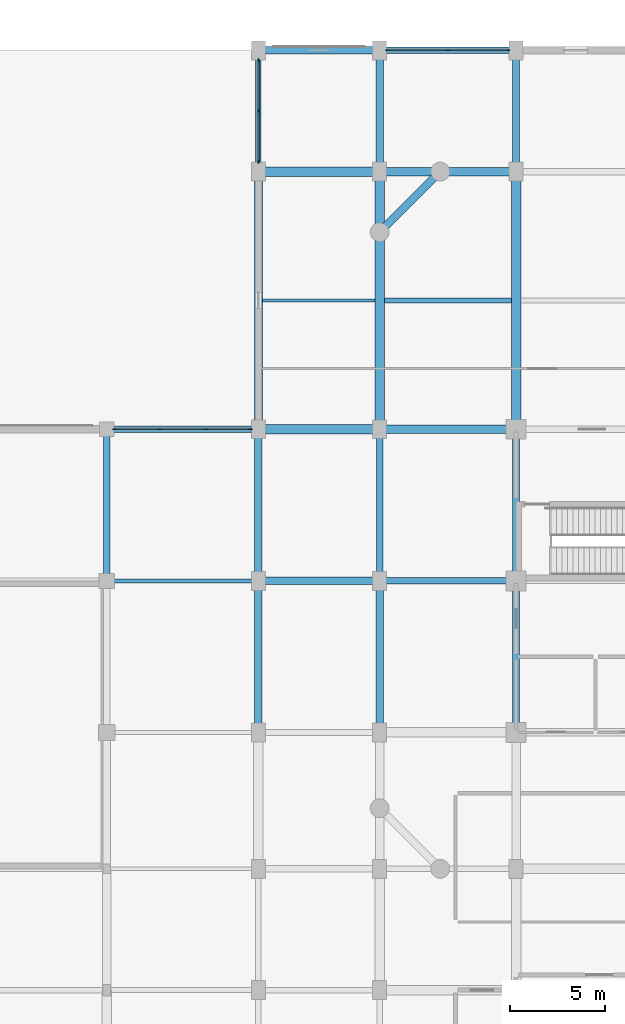
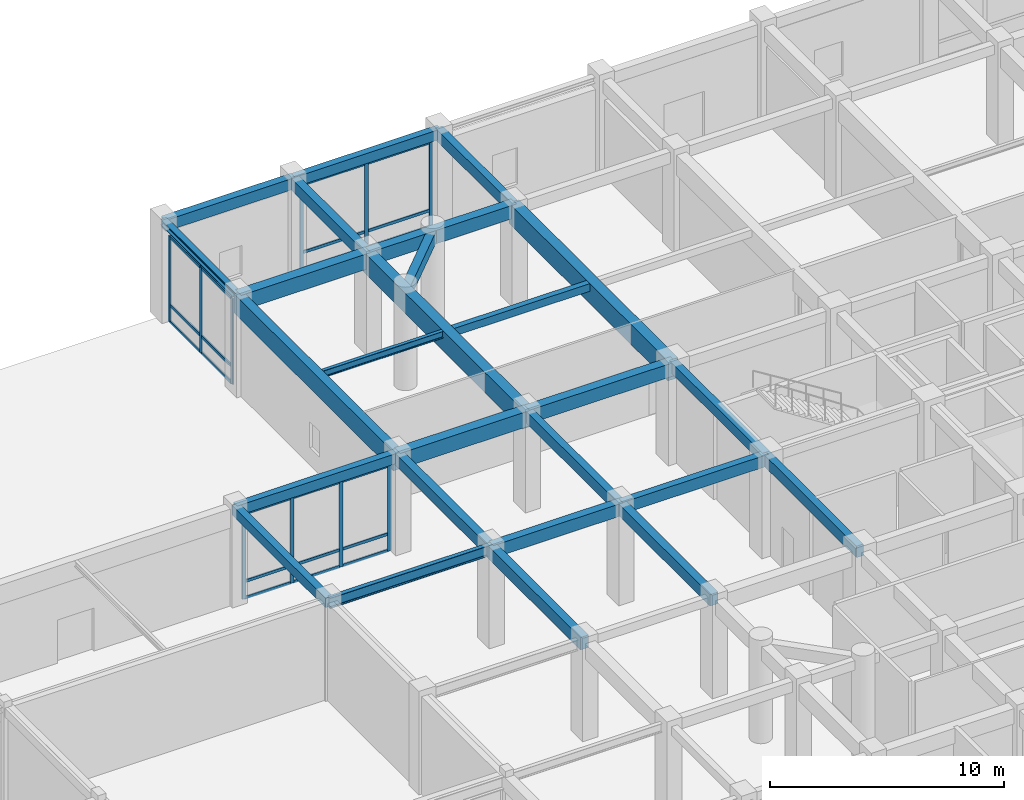
# One storey, part 15 of 40: 31 members, 26 beams, 3 elements without a shape of their own.
"""IFC4 building model written with IfcOpenShell, lengths in metres."""

from ifc_helpers import new_model, si_unit, direction, frame, origin, origin_2d, place, context, subcontext, project, spatial, rectangle, i_section, extrude, material, material_profile, profile_set, type_object, element, aggregate, save


model = new_model("IFC4")

# Units and contexts
model_context = context("Model", 3, precision=1e-05, world=origin(), true_north=direction((0.0, 1.0)))
body_context = subcontext(model_context, "Body", "Model", "MODEL_VIEW")
ifc_project = project(units=[si_unit("LENGTHUNIT", "METRE"), si_unit("AREAUNIT", "SQUARE_METRE"), si_unit("VOLUMEUNIT", "CUBIC_METRE"), si_unit("PLANEANGLEUNIT", "RADIAN"), si_unit("MASSUNIT", "GRAM", prefix="KILO")], contexts=[model_context])

# Site, building, storey
site_placement = place(None, origin())
site = spatial("IfcSite", under=ifc_project, at=site_placement, CompositionType="ELEMENT")
building_placement = place(site_placement, origin())
building = spatial("IfcBuilding", under=site, at=building_placement, Name="Vellmiral Cinema and Media Centre", CompositionType="ELEMENT")
storey_placement = place(building_placement, origin())
storey = spatial("IfcBuildingStorey", under=building, at=storey_placement, Name="L00", CompositionType="ELEMENT", Elevation=0.0)

# Beams
ifc_material_1 = material(Name="Concrete C40/50", Category="concrete")
ifc_material_profile_1 = material_profile(ifc_material_1, rectangle(XDim=0.35009765625, YDim=0.5, at=origin_2d()), Name="RC 350x500")
ifc_profile_set_1 = profile_set([ifc_material_profile_1], Name="Concrete C40/50")
beam_type_1 = type_object("IfcBeamType", Name="BM-RC-350x500", PredefinedType="BEAM", material=ifc_profile_set_1)
beam_1_placement = place(storey_placement, frame((102.39990234375, 87.199951171875, 4.824951171875), z_axis=(0.0, 1.0, 0.0), x_axis=(-1.0, 0.0, 0.0)))
element("IfcBeam", 1, at=beam_1_placement, inside=storey, type_object=beam_type_1, Name="Grid Beam L00-Y289", PredefinedType="BEAM", context=body_context, shape_type="SweptSolid", body=[
    extrude(rectangle(XDim=0.35009765625, YDim=0.5, at=origin_2d()), origin(), (0.0, 0.0, 1.0), 8.0),
])
ifc_material_2 = material(Name="Concrete C40/50", Category="concrete")
ifc_material_profile_2 = material_profile(ifc_material_2, rectangle(XDim=0.35009765625, YDim=0.550048828125, at=origin_2d()), Name="RC 350x550")
ifc_profile_set_2 = profile_set([ifc_material_profile_2], Name="Concrete C40/50")
beam_type_2 = type_object("IfcBeamType", Name="BM-RC-350x550", PredefinedType="BEAM", material=ifc_profile_set_2)
beam_2_placement = place(storey_placement, frame((124.0, 87.199951171875, 4.800048828125), z_axis=(0.0, 1.0, 0.0), x_axis=(-1.0, 0.0, 0.0)))
element("IfcBeam", 2, at=beam_2_placement, inside=storey, type_object=beam_type_2, Name="Grid Beam L00-Y321", PredefinedType="BEAM", context=body_context, shape_type="SweptSolid", body=[
    extrude(rectangle(XDim=0.35009765625, YDim=0.550048828125, at=origin_2d()), origin(), (0.0, 0.0, 1.0), 8.0),
])
ifc_material_3 = material(Name="Concrete C40/50", Category="concrete")
ifc_material_profile_3 = material_profile(ifc_material_3, rectangle(XDim=0.35009765625, YDim=0.60009765625, at=origin_2d()), Name="RC 350x600")
ifc_profile_set_3 = profile_set([ifc_material_profile_3], Name="Concrete C40/50")
beam_type_3 = type_object("IfcBeamType", Name="BM-RC-350x600", PredefinedType="BEAM", material=ifc_profile_set_3)
beam_3_placement = place(storey_placement, frame((116.800048828125, 87.199951171875, 4.77490234375), z_axis=(1.0, 0.0, 0.0), x_axis=(0.0, 1.0, 0.0)))
element("IfcBeam", 3, at=beam_3_placement, inside=storey, type_object=beam_type_3, Name="Grid Beam L00-X146", PredefinedType="BEAM", context=body_context, shape_type="SweptSolid", body=[
    extrude(rectangle(XDim=0.35009765625, YDim=0.60009765625, at=origin_2d()), origin(), (0.0, 0.0, 1.0), 7.199951171875),
])
for number, where, z_axis, x_axis, name in (
    (4, (116.800048828125, 87.199951171875, 4.77490234375), (0.0, 1.0, 0.0), (-1.0, 0.0, 0.0), "Grid Beam L00-Y309"),
    (5, (124.0, 79.199951171875, 4.77490234375), (0.0, 1.0, 0.0), (-1.0, 0.0, 0.0), "Grid Beam L00-Y320"),
):
    element("IfcBeam", number, at=place(storey_placement, frame(where, z_axis=z_axis, x_axis=x_axis)), inside=storey, type_object=beam_type_3, Name=name, PredefinedType="BEAM", context=body_context, shape_type="SweptSolid", body=[
        extrude(rectangle(XDim=0.35009765625, YDim=0.60009765625, at=origin_2d()), origin(), (0.0, 0.0, 1.0), 8.0),
    ])
beam_4_placement = place(storey_placement, frame((124.0, 108.800048828125, 4.77490234375), z_axis=(0.0, 1.0, 0.0), x_axis=(-1.0, 0.0, 0.0)))
element("IfcBeam", 6, at=beam_4_placement, inside=storey, type_object=beam_type_3, Name="Grid Beam L00-Y323", PredefinedType="BEAM", context=body_context, shape_type="SweptSolid", body=[
    extrude(rectangle(XDim=0.35009765625, YDim=0.60009765625, at=origin_2d()), origin(), (0.0, 0.0, 1.0), 6.39990234375),
])
ifc_material_4 = material(Name="Concrete C40/50", Category="concrete")
ifc_material_profile_4 = material_profile(ifc_material_4, rectangle(XDim=0.39990234375, YDim=0.60009765625, at=origin_2d()), Name="RC 400x600")
ifc_profile_set_4 = profile_set([ifc_material_profile_4], Name="Concrete C40/50")
beam_type_4 = type_object("IfcBeamType", Name="BM-RC-400x600", PredefinedType="BEAM", material=ifc_profile_set_4)
for number, where, z_axis, x_axis, name in (
    (7, (110.39990234375, 87.199951171875, 4.77490234375), (0.0, 1.0, 0.0), (-1.0, 0.0, 0.0), "Grid Beam L00-Y297"),
    (8, (116.800048828125, 79.199951171875, 4.77490234375), (0.0, 1.0, 0.0), (-1.0, 0.0, 0.0), "Grid Beam L00-Y308"),
):
    element("IfcBeam", number, at=place(storey_placement, frame(where, z_axis=z_axis, x_axis=x_axis)), inside=storey, type_object=beam_type_4, Name=name, PredefinedType="BEAM", context=body_context, shape_type="SweptSolid", body=[
        extrude(rectangle(XDim=0.39990234375, YDim=0.60009765625, at=origin_2d()), origin(), (0.0, 0.0, 1.0), 8.0),
    ])
beam_5_placement = place(storey_placement, frame((116.800048828125, 108.800048828125, 4.77490234375), z_axis=(0.0, 1.0, 0.0), x_axis=(-1.0, 0.0, 0.0)))
element("IfcBeam", 9, at=beam_5_placement, inside=storey, type_object=beam_type_4, Name="Grid Beam L00-Y311", PredefinedType="BEAM", context=body_context, shape_type="SweptSolid", body=[
    extrude(rectangle(XDim=0.39990234375, YDim=0.60009765625, at=origin_2d()), origin(), (0.0, 0.0, 1.0), 6.39990234375),
])
ifc_material_5 = material(Name="Concrete C40/50", Category="concrete")
ifc_material_profile_5 = material_profile(ifc_material_5, rectangle(XDim=0.39990234375, YDim=0.64990234375, at=origin_2d()), Name="RC 400x650")
ifc_profile_set_5 = profile_set([ifc_material_profile_5], Name="Concrete C40/50")
beam_type_5 = type_object("IfcBeamType", Name="BM-RC-400x650", PredefinedType="BEAM", material=ifc_profile_set_5)
beam_6_placement = place(storey_placement, frame((110.39990234375, 87.199951171875, 4.75), z_axis=(1.0, 0.0, 0.0), x_axis=(0.0, 1.0, 0.0)))
element("IfcBeam", 10, at=beam_6_placement, inside=storey, type_object=beam_type_5, Name="Grid Beam L00-X145", PredefinedType="BEAM", context=body_context, shape_type="SweptSolid", body=[
    extrude(rectangle(XDim=0.39990234375, YDim=0.64990234375, at=origin_2d()), origin(), (0.0, 0.0, 1.0), 6.400146484375),
])
beam_7_placement = place(storey_placement, frame((110.39990234375, 79.199951171875, 4.75), z_axis=(0.0, 1.0, 0.0), x_axis=(-1.0, 0.0, 0.0)))
element("IfcBeam", 11, at=beam_7_placement, inside=storey, type_object=beam_type_5, Name="Grid Beam L00-Y296", PredefinedType="BEAM", context=body_context, shape_type="SweptSolid", body=[
    extrude(rectangle(XDim=0.39990234375, YDim=0.64990234375, at=origin_2d()), origin(), (0.0, 0.0, 1.0), 8.0),
])
ifc_material_6 = material(Name="Concrete C40/50", Category="concrete")
ifc_material_profile_6 = material_profile(ifc_material_6, rectangle(XDim=0.449951171875, YDim=0.699951171875, at=origin_2d()), Name="RC 450x700")
ifc_profile_set_6 = profile_set([ifc_material_profile_6], Name="Concrete C40/50")
beam_type_6 = type_object("IfcBeamType", Name="BM-RC-450x700", PredefinedType="BEAM", material=ifc_profile_set_6)
for number, where, z_axis, x_axis, name in (
    (12, (116.800048828125, 95.199951171875, 4.72509765625), (1.0, 0.0, 0.0), (0.0, 1.0, 0.0), "Grid Beam L00-X165"),
    (13, (116.800048828125, 108.800048828125, 4.72509765625), (1.0, 0.0, 0.0), (0.0, 1.0, 0.0), "Grid Beam L00-X176"),
):
    element("IfcBeam", number, at=place(storey_placement, frame(where, z_axis=z_axis, x_axis=x_axis)), inside=storey, type_object=beam_type_6, Name=name, PredefinedType="BEAM", context=body_context, shape_type="SweptSolid", body=[
        extrude(rectangle(XDim=0.449951171875, YDim=0.699951171875, at=origin_2d()), origin(), (0.0, 0.0, 1.0), 7.199951171875),
    ])
ifc_material_7 = material(Name="Concrete C40/50", Category="concrete")
ifc_material_profile_7 = material_profile(ifc_material_7, rectangle(XDim=0.5, YDim=0.800048828125, at=origin_2d()), Name="RC 500x800")
ifc_profile_set_7 = profile_set([ifc_material_profile_7], Name="Concrete C40/50")
beam_type_7 = type_object("IfcBeamType", Name="BM-RC-500x800", PredefinedType="BEAM", material=ifc_profile_set_7)
for number, where, z_axis, x_axis, name in (
    (14, (110.39990234375, 95.199951171875, 4.675048828125), (1.0, 0.0, 0.0), (0.0, 1.0, 0.0), "Grid Beam L00-X164"),
    (15, (110.39990234375, 108.800048828125, 4.675048828125), (1.0, 0.0, 0.0), (0.0, 1.0, 0.0), "Grid Beam L00-X175"),
):
    element("IfcBeam", number, at=place(storey_placement, frame(where, z_axis=z_axis, x_axis=x_axis)), inside=storey, type_object=beam_type_7, Name=name, PredefinedType="BEAM", context=body_context, shape_type="SweptSolid", body=[
        extrude(rectangle(XDim=0.5, YDim=0.800048828125, at=origin_2d()), origin(), (0.0, 0.0, 1.0), 6.400146484375),
    ])
ifc_material_8 = material(Name="Concrete C40/50", Category="concrete")
ifc_material_profile_8 = material_profile(ifc_material_8, rectangle(XDim=0.5, YDim=1.050048828125, at=origin_2d()), Name="RC 500x1050")
ifc_profile_set_8 = profile_set([ifc_material_profile_8], Name="Concrete C40/50")
beam_type_8 = type_object("IfcBeamType", Name="BM-RCG-500x1050", PredefinedType="BEAM", material=ifc_profile_set_8)
for number, where, z_axis, x_axis, name in (
    (16, (116.800048828125, 95.199951171875, 4.550048828125), (0.0, 1.0, 0.0), (-1.0, 0.0, 0.0), "Grid Beam L00-Y310"),
    (17, (124.0, 95.199951171875, 4.550048828125), (0.0, 1.0, 0.0), (-1.0, 0.0, 0.0), "Grid Beam L00-Y322"),
):
    element("IfcBeam", number, at=place(storey_placement, frame(where, z_axis=z_axis, x_axis=x_axis)), inside=storey, type_object=beam_type_8, Name=name, PredefinedType="BEAM", context=body_context, shape_type="SweptSolid", body=[
        extrude(rectangle(XDim=0.5, YDim=1.050048828125, at=origin_2d()), origin(), (0.0, 0.0, 1.0), 13.60009765625),
    ])

# Curtain wall, members
ifc_material_9 = material(Name="Thermally Broken Aluminium and Triple Glazing", Category="aluminium")
curtain_wall_type = type_object("IfcCurtainWallType", Name="CW-LIB-BAY", PredefinedType="USERDEFINED", material=ifc_material_9)
curtain_wall_1_placement = place(storey_placement, origin())
curtain_wall_1 = element("IfcCurtainWall", 18, at=curtain_wall_1_placement, inside=storey, type_object=curtain_wall_type, Name="Curtain Wall L00-B051", ObjectType="STICK CURTAIN WALL", PredefinedType="USERDEFINED")
ifc_material_10 = material(Name="Thermally Broken Anodised Aluminium", Category="aluminium")
ifc_material_profile_9 = material_profile(ifc_material_10, rectangle(XDim=0.070068359375, YDim=0.179931640625, at=origin_2d()), Name="MULL 70x180")
ifc_profile_set_9 = profile_set([ifc_material_profile_9], Name="Thermally Broken Anodised Aluminium")
member_type_1 = type_object("IfcMemberType", Name="CWM-70x180", PredefinedType="MULLION", material=ifc_profile_set_9)
member_1_placement = place(storey_placement, frame((123.590087890625, 115.199951171875, 0.0), z_axis=(0.0, 0.0, 1.0), x_axis=(0.0, -1.0, 0.0)))
member_1 = element("IfcMember", 19, at=member_1_placement, type_object=member_type_1, Name="CW-03 mullion 1", PredefinedType="MULLION", context=body_context, shape_type="SweptSolid", body=[
    extrude(rectangle(XDim=0.070068359375, YDim=0.179931640625, at=origin_2d()), origin(), (0.0, 0.0, 1.0), 4.47998046875),
])
member_2_placement = place(storey_placement, frame((120.39990234375, 115.199951171875, 0.0), z_axis=(0.0, 0.0, 1.0), x_axis=(0.0, -1.0, 0.0)))
member_2 = element("IfcMember", 20, at=member_2_placement, type_object=member_type_1, Name="CW-03 mullion 2", PredefinedType="MULLION", context=body_context, shape_type="SweptSolid", body=[
    extrude(rectangle(XDim=0.070068359375, YDim=0.179931640625, at=origin_2d()), origin(), (0.0, 0.0, 1.0), 4.47998046875),
])
member_3_placement = place(storey_placement, frame((117.2099609375, 115.199951171875, 0.0), z_axis=(0.0, 0.0, 1.0), x_axis=(0.0, -1.0, 0.0)))
member_3 = element("IfcMember", 21, at=member_3_placement, type_object=member_type_1, Name="CW-03 mullion 3", PredefinedType="MULLION", context=body_context, shape_type="SweptSolid", body=[
    extrude(rectangle(XDim=0.070068359375, YDim=0.179931640625, at=origin_2d()), origin(), (0.0, 0.0, 1.0), 4.47998046875),
])

curtain_wall_2_placement = place(storey_placement, origin())
curtain_wall_2 = element("IfcCurtainWall", 22, at=curtain_wall_2_placement, inside=storey, type_object=curtain_wall_type, Name="Curtain Wall L00-B053", ObjectType="STICK CURTAIN WALL", PredefinedType="USERDEFINED")
member_4_placement = place(storey_placement, frame((110.39990234375, 114.6650390625, 0.0), z_axis=(0.0, 0.0, 1.0), x_axis=(1.0, 0.0, 0.0)))
member_4 = element("IfcMember", 23, at=member_4_placement, type_object=member_type_1, Name="CW-03 mullion 1", PredefinedType="MULLION", context=body_context, shape_type="SweptSolid", body=[
    extrude(rectangle(XDim=0.070068359375, YDim=0.179931640625, at=origin_2d()), origin(), (0.0, 0.0, 1.0), 4.47998046875),
])
member_5_placement = place(storey_placement, frame((110.39990234375, 112.0, 0.0), z_axis=(0.0, 0.0, 1.0), x_axis=(1.0, 0.0, 0.0)))
member_5 = element("IfcMember", 24, at=member_5_placement, type_object=member_type_1, Name="CW-03 mullion 2", PredefinedType="MULLION", context=body_context, shape_type="SweptSolid", body=[
    extrude(rectangle(XDim=0.070068359375, YDim=0.179931640625, at=origin_2d()), origin(), (0.0, 0.0, 1.0), 4.47998046875),
])
member_6_placement = place(storey_placement, frame((110.39990234375, 109.3349609375, 0.0), z_axis=(0.0, 0.0, 1.0), x_axis=(1.0, 0.0, 0.0)))
member_6 = element("IfcMember", 25, at=member_6_placement, type_object=member_type_1, Name="CW-03 mullion 3", PredefinedType="MULLION", context=body_context, shape_type="SweptSolid", body=[
    extrude(rectangle(XDim=0.070068359375, YDim=0.179931640625, at=origin_2d()), origin(), (0.0, 0.0, 1.0), 4.47998046875),
])

curtain_wall_3_placement = place(storey_placement, origin())
curtain_wall_3 = element("IfcCurtainWall", 26, at=curtain_wall_3_placement, inside=storey, type_object=curtain_wall_type, Name="Curtain Wall L00-B055", ObjectType="STICK CURTAIN WALL", PredefinedType="USERDEFINED")
member_7_placement = place(storey_placement, frame((109.989990234375, 95.199951171875, 0.0), z_axis=(0.0, 0.0, 1.0), x_axis=(0.0, -1.0, 0.0)))
member_7 = element("IfcMember", 27, at=member_7_placement, type_object=member_type_1, Name="CW-03 mullion 1", PredefinedType="MULLION", context=body_context, shape_type="SweptSolid", body=[
    extrude(rectangle(XDim=0.070068359375, YDim=0.179931640625, at=origin_2d()), origin(), (0.0, 0.0, 1.0), 4.47998046875),
])
member_8_placement = place(storey_placement, frame((107.6083984375, 95.199951171875, 0.0), z_axis=(0.0, 0.0, 1.0), x_axis=(0.0, -1.0, 0.0)))
member_8 = element("IfcMember", 28, at=member_8_placement, type_object=member_type_1, Name="CW-03 mullion 2", PredefinedType="MULLION", context=body_context, shape_type="SweptSolid", body=[
    extrude(rectangle(XDim=0.070068359375, YDim=0.179931640625, at=origin_2d()), origin(), (0.0, 0.0, 1.0), 4.47998046875),
])
member_9_placement = place(storey_placement, frame((105.191650390625, 95.199951171875, 0.0), z_axis=(0.0, 0.0, 1.0), x_axis=(0.0, -1.0, 0.0)))
member_9 = element("IfcMember", 29, at=member_9_placement, type_object=member_type_1, Name="CW-03 mullion 3", PredefinedType="MULLION", context=body_context, shape_type="SweptSolid", body=[
    extrude(rectangle(XDim=0.070068359375, YDim=0.179931640625, at=origin_2d()), origin(), (0.0, 0.0, 1.0), 4.47998046875),
])
member_10_placement = place(storey_placement, frame((102.81005859375, 95.199951171875, 0.0), z_axis=(0.0, 0.0, 1.0), x_axis=(0.0, -1.0, 0.0)))
member_10 = element("IfcMember", 30, at=member_10_placement, type_object=member_type_1, Name="CW-03 mullion 4", PredefinedType="MULLION", context=body_context, shape_type="SweptSolid", body=[
    extrude(rectangle(XDim=0.070068359375, YDim=0.179931640625, at=origin_2d()), origin(), (0.0, 0.0, 1.0), 4.47998046875),
])

# Member
ifc_material_11 = material(Name="Thermally Broken Anodised Aluminium", Category="aluminium")
ifc_material_profile_10 = material_profile(ifc_material_11, rectangle(XDim=0.070068359375, YDim=0.14990234375, at=origin_2d()), Name="MULL 70x150")
ifc_profile_set_10 = profile_set([ifc_material_profile_10], Name="Thermally Broken Anodised Aluminium")
member_type_2 = type_object("IfcMemberType", Name="CWT-70x150", PredefinedType="USERDEFINED", material=ifc_profile_set_10)
member_11_placement = place(storey_placement, frame((123.554931640625, 115.199951171875, 0.034912109375), z_axis=(-1.0, 0.0, 0.0), x_axis=(0.0, -1.0, 0.0)))
member_11 = element("IfcMember", 31, at=member_11_placement, type_object=member_type_2, Name="CW-03 transom 1.1", ObjectType="TRANSOM", PredefinedType="USERDEFINED", context=body_context, shape_type="SweptSolid", body=[
    extrude(rectangle(XDim=0.070068359375, YDim=0.14990234375, at=origin_2d()), origin(), (0.0, 0.0, 1.0), 3.119873046875),
])

member_12_placement = place(storey_placement, frame((123.554931640625, 115.199951171875, 0.89990234375), z_axis=(-1.0, 0.0, 0.0), x_axis=(0.0, -1.0, 0.0)))
member_12 = element("IfcMember", 32, at=member_12_placement, type_object=member_type_2, Name="CW-03 transom 1.2", ObjectType="TRANSOM", PredefinedType="USERDEFINED", context=body_context, shape_type="SweptSolid", body=[
    extrude(rectangle(XDim=0.070068359375, YDim=0.14990234375, at=origin_2d()), origin(), (0.0, 0.0, 1.0), 3.119873046875),
])

member_13_placement = place(storey_placement, frame((123.554931640625, 115.199951171875, 4.445068359375), z_axis=(-1.0, 0.0, 0.0), x_axis=(0.0, -1.0, 0.0)))
member_13 = element("IfcMember", 33, at=member_13_placement, type_object=member_type_2, Name="CW-03 transom 1.3", ObjectType="TRANSOM", PredefinedType="USERDEFINED", context=body_context, shape_type="SweptSolid", body=[
    extrude(rectangle(XDim=0.070068359375, YDim=0.14990234375, at=origin_2d()), origin(), (0.0, 0.0, 1.0), 3.119873046875),
])

member_14_placement = place(storey_placement, frame((120.364990234375, 115.199951171875, 0.034912109375), z_axis=(-1.0, 0.0, 0.0), x_axis=(0.0, -1.0, 0.0)))
member_14 = element("IfcMember", 34, at=member_14_placement, type_object=member_type_2, Name="CW-03 transom 2.1", ObjectType="TRANSOM", PredefinedType="USERDEFINED", context=body_context, shape_type="SweptSolid", body=[
    extrude(rectangle(XDim=0.070068359375, YDim=0.14990234375, at=origin_2d()), origin(), (0.0, 0.0, 1.0), 3.119873046875),
])

member_15_placement = place(storey_placement, frame((120.364990234375, 115.199951171875, 0.89990234375), z_axis=(-1.0, 0.0, 0.0), x_axis=(0.0, -1.0, 0.0)))
member_15 = element("IfcMember", 35, at=member_15_placement, type_object=member_type_2, Name="CW-03 transom 2.2", ObjectType="TRANSOM", PredefinedType="USERDEFINED", context=body_context, shape_type="SweptSolid", body=[
    extrude(rectangle(XDim=0.070068359375, YDim=0.14990234375, at=origin_2d()), origin(), (0.0, 0.0, 1.0), 3.119873046875),
])

member_16_placement = place(storey_placement, frame((120.364990234375, 115.199951171875, 4.445068359375), z_axis=(-1.0, 0.0, 0.0), x_axis=(0.0, -1.0, 0.0)))
member_16 = element("IfcMember", 36, at=member_16_placement, type_object=member_type_2, Name="CW-03 transom 2.3", ObjectType="TRANSOM", PredefinedType="USERDEFINED", context=body_context, shape_type="SweptSolid", body=[
    extrude(rectangle(XDim=0.070068359375, YDim=0.14990234375, at=origin_2d()), origin(), (0.0, 0.0, 1.0), 3.119873046875),
])

aggregate(curtain_wall_1, [member_1, member_2, member_3, member_11, member_12, member_13, member_14, member_15, member_16])

member_17_placement = place(storey_placement, frame((110.39990234375, 114.6298828125, 0.034912109375), z_axis=(0.0, -1.0, 0.0), x_axis=(1.0, 0.0, 0.0)))
member_17 = element("IfcMember", 37, at=member_17_placement, type_object=member_type_2, Name="CW-03 transom 1.1", ObjectType="TRANSOM", PredefinedType="USERDEFINED", context=body_context, shape_type="SweptSolid", body=[
    extrude(rectangle(XDim=0.070068359375, YDim=0.14990234375, at=origin_2d()), origin(), (0.0, 0.0, 1.0), 2.594970703125),
])

member_18_placement = place(storey_placement, frame((110.39990234375, 114.6298828125, 0.89990234375), z_axis=(0.0, -1.0, 0.0), x_axis=(1.0, 0.0, 0.0)))
member_18 = element("IfcMember", 38, at=member_18_placement, type_object=member_type_2, Name="CW-03 transom 1.2", ObjectType="TRANSOM", PredefinedType="USERDEFINED", context=body_context, shape_type="SweptSolid", body=[
    extrude(rectangle(XDim=0.070068359375, YDim=0.14990234375, at=origin_2d()), origin(), (0.0, 0.0, 1.0), 2.594970703125),
])

member_19_placement = place(storey_placement, frame((110.39990234375, 114.6298828125, 4.445068359375), z_axis=(0.0, -1.0, 0.0), x_axis=(1.0, 0.0, 0.0)))
member_19 = element("IfcMember", 39, at=member_19_placement, type_object=member_type_2, Name="CW-03 transom 1.3", ObjectType="TRANSOM", PredefinedType="USERDEFINED", context=body_context, shape_type="SweptSolid", body=[
    extrude(rectangle(XDim=0.070068359375, YDim=0.14990234375, at=origin_2d()), origin(), (0.0, 0.0, 1.0), 2.594970703125),
])

member_20_placement = place(storey_placement, frame((110.39990234375, 111.965087890625, 0.034912109375), z_axis=(0.0, -1.0, 0.0), x_axis=(1.0, 0.0, 0.0)))
member_20 = element("IfcMember", 40, at=member_20_placement, type_object=member_type_2, Name="CW-03 transom 2.1", ObjectType="TRANSOM", PredefinedType="USERDEFINED", context=body_context, shape_type="SweptSolid", body=[
    extrude(rectangle(XDim=0.070068359375, YDim=0.14990234375, at=origin_2d()), origin(), (0.0, 0.0, 1.0), 2.594970703125),
])

member_21_placement = place(storey_placement, frame((110.39990234375, 111.965087890625, 0.89990234375), z_axis=(0.0, -1.0, 0.0), x_axis=(1.0, 0.0, 0.0)))
member_21 = element("IfcMember", 41, at=member_21_placement, type_object=member_type_2, Name="CW-03 transom 2.2", ObjectType="TRANSOM", PredefinedType="USERDEFINED", context=body_context, shape_type="SweptSolid", body=[
    extrude(rectangle(XDim=0.070068359375, YDim=0.14990234375, at=origin_2d()), origin(), (0.0, 0.0, 1.0), 2.594970703125),
])

member_22_placement = place(storey_placement, frame((110.39990234375, 111.965087890625, 4.445068359375), z_axis=(0.0, -1.0, 0.0), x_axis=(1.0, 0.0, 0.0)))
member_22 = element("IfcMember", 42, at=member_22_placement, type_object=member_type_2, Name="CW-03 transom 2.3", ObjectType="TRANSOM", PredefinedType="USERDEFINED", context=body_context, shape_type="SweptSolid", body=[
    extrude(rectangle(XDim=0.070068359375, YDim=0.14990234375, at=origin_2d()), origin(), (0.0, 0.0, 1.0), 2.594970703125),
])

aggregate(curtain_wall_2, [member_4, member_5, member_6, member_17, member_18, member_19, member_20, member_21, member_22])

member_23_placement = place(storey_placement, frame((109.955078125, 95.199951171875, 0.034912109375), z_axis=(-1.0, 0.0, 0.0), x_axis=(0.0, -1.0, 0.0)))
member_23 = element("IfcMember", 43, at=member_23_placement, type_object=member_type_2, Name="CW-03 transom 1.1", ObjectType="TRANSOM", PredefinedType="USERDEFINED", context=body_context, shape_type="SweptSolid", body=[
    extrude(rectangle(XDim=0.070068359375, YDim=0.14990234375, at=origin_2d()), origin(), (0.0, 0.0, 1.0), 2.311767578125),
])

member_24_placement = place(storey_placement, frame((109.955078125, 95.199951171875, 0.89990234375), z_axis=(-1.0, 0.0, 0.0), x_axis=(0.0, -1.0, 0.0)))
member_24 = element("IfcMember", 44, at=member_24_placement, type_object=member_type_2, Name="CW-03 transom 1.2", ObjectType="TRANSOM", PredefinedType="USERDEFINED", context=body_context, shape_type="SweptSolid", body=[
    extrude(rectangle(XDim=0.070068359375, YDim=0.14990234375, at=origin_2d()), origin(), (0.0, 0.0, 1.0), 2.311767578125),
])

member_25_placement = place(storey_placement, frame((109.955078125, 95.199951171875, 4.445068359375), z_axis=(-1.0, 0.0, 0.0), x_axis=(0.0, -1.0, 0.0)))
member_25 = element("IfcMember", 45, at=member_25_placement, type_object=member_type_2, Name="CW-03 transom 1.3", ObjectType="TRANSOM", PredefinedType="USERDEFINED", context=body_context, shape_type="SweptSolid", body=[
    extrude(rectangle(XDim=0.070068359375, YDim=0.14990234375, at=origin_2d()), origin(), (0.0, 0.0, 1.0), 2.311767578125),
])

member_26_placement = place(storey_placement, frame((107.5732421875, 95.199951171875, 0.034912109375), z_axis=(-1.0, 0.0, 0.0), x_axis=(0.0, -1.0, 0.0)))
member_26 = element("IfcMember", 46, at=member_26_placement, type_object=member_type_2, Name="CW-03 transom 2.1", ObjectType="TRANSOM", PredefinedType="USERDEFINED", context=body_context, shape_type="SweptSolid", body=[
    extrude(rectangle(XDim=0.070068359375, YDim=0.14990234375, at=origin_2d()), origin(), (0.0, 0.0, 1.0), 2.3466796875),
])

member_27_placement = place(storey_placement, frame((107.5732421875, 95.199951171875, 0.89990234375), z_axis=(-1.0, 0.0, 0.0), x_axis=(0.0, -1.0, 0.0)))
member_27 = element("IfcMember", 47, at=member_27_placement, type_object=member_type_2, Name="CW-03 transom 2.2", ObjectType="TRANSOM", PredefinedType="USERDEFINED", context=body_context, shape_type="SweptSolid", body=[
    extrude(rectangle(XDim=0.070068359375, YDim=0.14990234375, at=origin_2d()), origin(), (0.0, 0.0, 1.0), 2.3466796875),
])

member_28_placement = place(storey_placement, frame((107.5732421875, 95.199951171875, 4.445068359375), z_axis=(-1.0, 0.0, 0.0), x_axis=(0.0, -1.0, 0.0)))
member_28 = element("IfcMember", 48, at=member_28_placement, type_object=member_type_2, Name="CW-03 transom 2.3", ObjectType="TRANSOM", PredefinedType="USERDEFINED", context=body_context, shape_type="SweptSolid", body=[
    extrude(rectangle(XDim=0.070068359375, YDim=0.14990234375, at=origin_2d()), origin(), (0.0, 0.0, 1.0), 2.3466796875),
])

member_29_placement = place(storey_placement, frame((105.15673828125, 95.199951171875, 0.034912109375), z_axis=(-1.0, 0.0, 0.0), x_axis=(0.0, -1.0, 0.0)))
member_29 = element("IfcMember", 49, at=member_29_placement, type_object=member_type_2, Name="CW-03 transom 3.1", ObjectType="TRANSOM", PredefinedType="USERDEFINED", context=body_context, shape_type="SweptSolid", body=[
    extrude(rectangle(XDim=0.070068359375, YDim=0.14990234375, at=origin_2d()), origin(), (0.0, 0.0, 1.0), 2.311767578125),
])

member_30_placement = place(storey_placement, frame((105.15673828125, 95.199951171875, 0.89990234375), z_axis=(-1.0, 0.0, 0.0), x_axis=(0.0, -1.0, 0.0)))
member_30 = element("IfcMember", 50, at=member_30_placement, type_object=member_type_2, Name="CW-03 transom 3.2", ObjectType="TRANSOM", PredefinedType="USERDEFINED", context=body_context, shape_type="SweptSolid", body=[
    extrude(rectangle(XDim=0.070068359375, YDim=0.14990234375, at=origin_2d()), origin(), (0.0, 0.0, 1.0), 2.311767578125),
])

member_31_placement = place(storey_placement, frame((105.15673828125, 95.199951171875, 4.445068359375), z_axis=(-1.0, 0.0, 0.0), x_axis=(0.0, -1.0, 0.0)))
member_31 = element("IfcMember", 51, at=member_31_placement, type_object=member_type_2, Name="CW-03 transom 3.3", ObjectType="TRANSOM", PredefinedType="USERDEFINED", context=body_context, shape_type="SweptSolid", body=[
    extrude(rectangle(XDim=0.070068359375, YDim=0.14990234375, at=origin_2d()), origin(), (0.0, 0.0, 1.0), 2.311767578125),
])

aggregate(curtain_wall_3, [member_7, member_8, member_9, member_10, member_23, member_24, member_25, member_26, member_27, member_28, member_29, member_30, member_31])

# Beams
ifc_material_12 = material(Name="Concrete C40/50", Category="concrete")
ifc_material_profile_11 = material_profile(ifc_material_12, rectangle(XDim=0.280029296875, YDim=0.39990234375, at=origin_2d()), Name="RC 280x400")
ifc_profile_set_11 = profile_set([ifc_material_profile_11], Name="Concrete C40/50")
beam_type_9 = type_object("IfcBeamType", Name="JST-RC-280x400", PredefinedType="JOIST", material=ifc_profile_set_11)
beam_8_placement = place(storey_placement, frame((117.050048828125, 102.0, 4.875), z_axis=(1.0, 0.0, 0.0), x_axis=(0.0, 1.0, 0.0)))
element("IfcBeam", 52, at=beam_8_placement, inside=storey, type_object=beam_type_9, Name="Secondary Floor Joist L00-025", PredefinedType="JOIST", context=body_context, shape_type="SweptSolid", body=[
    extrude(rectangle(XDim=0.280029296875, YDim=0.39990234375, at=origin_2d()), origin(), (0.0, 0.0, 1.0), 6.699951171875),
])
ifc_material_13 = material(Name="Steel S355", Category="steel")
ifc_material_profile_12 = material_profile(ifc_material_13, i_section(OverallWidth=0.300048828125, OverallDepth=0.300048828125, WebThickness=0.010986328125, FlangeThickness=0.01904296875, FilletRadius=0.027099609375, at=origin_2d()), Name="HEB 300")
ifc_profile_set_12 = profile_set([ifc_material_profile_12], Name="Steel S355")
beam_type_10 = type_object("IfcBeamType", Name="SBM-HEB300", PredefinedType="SPANDREL", material=ifc_profile_set_12)
beam_9_placement = place(storey_placement, frame((110.39990234375, 108.800048828125, 4.925048828125), z_axis=(0.0, 1.0, 0.0), x_axis=(-1.0, 0.0, 0.0)))
element("IfcBeam", 53, at=beam_9_placement, inside=storey, type_object=beam_type_10, Name="Grid Beam L00-Y299", PredefinedType="SPANDREL", context=body_context, shape_type="SweptSolid", body=[
    extrude(i_section(OverallWidth=0.300048828125, OverallDepth=0.300048828125, WebThickness=0.010986328125, FlangeThickness=0.01904296875, FilletRadius=0.027099609375, at=origin_2d()), origin(), (0.0, 0.0, 1.0), 6.39990234375),
])
ifc_material_14 = material(Name="Steel S355", Category="steel")
ifc_material_profile_13 = material_profile(ifc_material_14, i_section(OverallWidth=0.169921875, OverallDepth=0.360107421875, WebThickness=0.008056640625, FlangeThickness=0.0126953125, FilletRadius=0.01806640625, at=origin_2d()), Name="IPE 360")
ifc_profile_set_13 = profile_set([ifc_material_profile_13], Name="Steel S355")
beam_type_11 = type_object("IfcBeamType", Name="SBM-IPE360", PredefinedType="JOIST", material=ifc_profile_set_13)
beam_10_placement = place(storey_placement, frame((110.610107421875, 102.0, 4.89501953125), z_axis=(1.0, 0.0, 0.0), x_axis=(0.0, 1.0, 0.0)))
element("IfcBeam", 54, at=beam_10_placement, inside=storey, type_object=beam_type_11, Name="Secondary Floor Joist L00-023", PredefinedType="JOIST", context=body_context, shape_type="SweptSolid", body=[
    extrude(i_section(OverallWidth=0.169921875, OverallDepth=0.360107421875, WebThickness=0.008056640625, FlangeThickness=0.0126953125, FilletRadius=0.01806640625, at=origin_2d()), origin(), (0.0, 0.0, 1.0), 5.93994140625),
])
ifc_material_15 = material(Name="Steel S355", Category="steel")
ifc_material_profile_14 = material_profile(ifc_material_15, i_section(OverallWidth=0.2099609375, OverallDepth=0.550048828125, WebThickness=0.010986328125, FlangeThickness=0.01708984375, FilletRadius=0.02392578125, at=origin_2d()), Name="IPE 550")
ifc_profile_set_14 = profile_set([ifc_material_profile_14], Name="Steel S355")
beam_type_12 = type_object("IfcBeamType", Name="SBM-IPE550", PredefinedType="BEAM", material=ifc_profile_set_14)
beam_11_placement = place(storey_placement, frame((102.39990234375, 87.199951171875, 4.800048828125), z_axis=(1.0, 0.0, 0.0), x_axis=(0.0, 1.0, 0.0)))
element("IfcBeam", 55, at=beam_11_placement, inside=storey, type_object=beam_type_12, Name="Grid Beam L00-X144", PredefinedType="BEAM", context=body_context, shape_type="SweptSolid", body=[
    extrude(i_section(OverallWidth=0.2099609375, OverallDepth=0.550048828125, WebThickness=0.010986328125, FlangeThickness=0.01708984375, FilletRadius=0.02392578125, at=origin_2d()), origin(), (0.0, 0.0, 1.0), 8.0),
])
ifc_material_16 = material(Name="Concrete C40/50", Category="concrete")
ifc_material_profile_15 = material_profile(ifc_material_16, rectangle(XDim=0.39990234375, YDim=0.60009765625, at=origin_2d()), Name="RC 400x600")
ifc_profile_set_15 = profile_set([ifc_material_profile_15], Name="Concrete C40/50")
beam_type_13 = type_object("IfcBeamType", Name="SPD-RC-400x600", PredefinedType="SPANDREL", material=ifc_profile_set_15)
beam_12_placement = place(storey_placement, frame((116.800048828125, 105.60009765625, 4.77490234375), z_axis=(0.707106781187, 0.707106781187, 0.0), x_axis=(-0.707106781187, 0.707106781187, 0.0)))
element("IfcBeam", 56, at=beam_12_placement, inside=storey, type_object=beam_type_13, Name="Xamfra Chamfer Spandrel Beam L00-370", PredefinedType="SPANDREL", context=body_context, shape_type="SweptSolid", body=[
    extrude(rectangle(XDim=0.39990234375, YDim=0.60009765625, at=origin_2d()), origin(), (0.0, 0.0, 1.0), 4.525390625),
])
ifc_material_17 = material(Name="Vosges Red Sandstone Masonry", Category="masonry")
ifc_material_profile_16 = material_profile(ifc_material_17, rectangle(XDim=0.340087890625, YDim=0.52001953125, at=origin_2d()), Name="SAND 340x520")
ifc_profile_set_16 = profile_set([ifc_material_profile_16], Name="Vosges Red Sandstone Masonry")
beam_type_14 = type_object("IfcBeamType", Name="SPD-SAND-340x520", PredefinedType="SPANDREL", material=ifc_profile_set_16)
beam_13_placement = place(storey_placement, frame((102.39990234375, 95.199951171875, 4.81494140625), z_axis=(1.0, 0.0, 0.0), x_axis=(0.0, 1.0, 0.0)))
element("IfcBeam", 57, at=beam_13_placement, inside=storey, type_object=beam_type_14, Name="Grid Beam L00-X163", PredefinedType="SPANDREL", context=body_context, shape_type="SweptSolid", body=[
    extrude(rectangle(XDim=0.340087890625, YDim=0.52001953125, at=origin_2d()), origin(), (0.0, 0.0, 1.0), 8.0),
])
beam_14_placement = place(storey_placement, frame((116.800048828125, 115.199951171875, 4.81494140625), z_axis=(1.0, 0.0, 0.0), x_axis=(0.0, 1.0, 0.0)))
element("IfcBeam", 58, at=beam_14_placement, inside=storey, type_object=beam_type_14, Name="Grid Beam L00-X183", PredefinedType="SPANDREL", context=body_context, shape_type="SweptSolid", body=[
    extrude(rectangle(XDim=0.340087890625, YDim=0.52001953125, at=origin_2d()), origin(), (0.0, 0.0, 1.0), 7.199951171875),
])
ifc_material_18 = material(Name="Vosges Red Sandstone Masonry", Category="masonry")
ifc_material_profile_17 = material_profile(ifc_material_18, rectangle(XDim=0.3798828125, YDim=0.580078125, at=origin_2d()), Name="SAND 380x580")
ifc_profile_set_17 = profile_set([ifc_material_profile_17], Name="Vosges Red Sandstone Masonry")
beam_type_15 = type_object("IfcBeamType", Name="SPD-SAND-380x580", PredefinedType="SPANDREL", material=ifc_profile_set_17)
beam_15_placement = place(storey_placement, frame((110.39990234375, 115.199951171875, 4.784912109375), z_axis=(1.0, 0.0, 0.0), x_axis=(0.0, 1.0, 0.0)))
element("IfcBeam", 59, at=beam_15_placement, inside=storey, type_object=beam_type_15, Name="Grid Beam L00-X182", PredefinedType="SPANDREL", context=body_context, shape_type="SweptSolid", body=[
    extrude(rectangle(XDim=0.3798828125, YDim=0.580078125, at=origin_2d()), origin(), (0.0, 0.0, 1.0), 6.400146484375),
])
ifc_material_19 = material(Name="Vosges Red Sandstone Masonry", Category="masonry")
ifc_material_profile_18 = material_profile(ifc_material_19, rectangle(XDim=0.419921875, YDim=1.0, at=origin_2d()), Name="SAND 420x1000")
ifc_profile_set_18 = profile_set([ifc_material_profile_18], Name="Vosges Red Sandstone Masonry")
beam_type_16 = type_object("IfcBeamType", Name="SPD-SANDG-420x1000", PredefinedType="SPANDREL", material=ifc_profile_set_18)
beam_16_placement = place(storey_placement, frame((110.39990234375, 95.199951171875, 4.574951171875), z_axis=(0.0, 1.0, 0.0), x_axis=(-1.0, 0.0, 0.0)))
element("IfcBeam", 60, at=beam_16_placement, inside=storey, type_object=beam_type_16, Name="Grid Beam L00-Y298", PredefinedType="SPANDREL", context=body_context, shape_type="SweptSolid", body=[
    extrude(rectangle(XDim=0.419921875, YDim=1.0, at=origin_2d()), origin(), (0.0, 0.0, 1.0), 13.60009765625),
])

save(model, "model.ifc")
